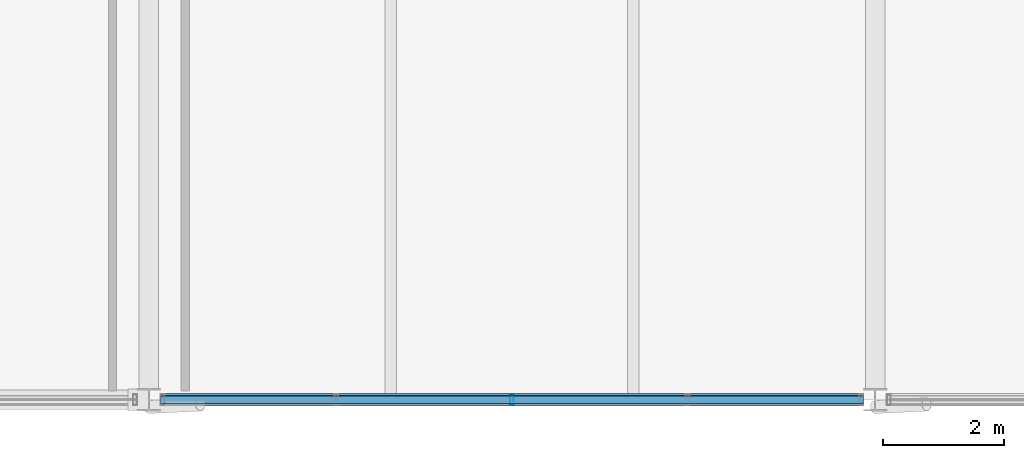
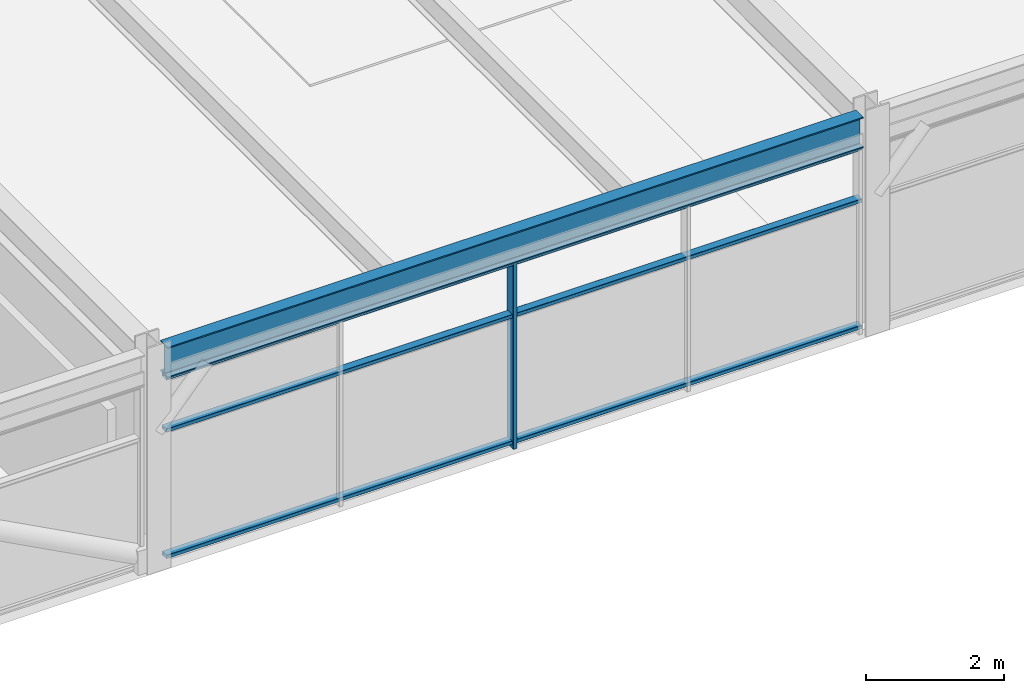
# One storey, part 11 of 49: 4 members, 1 beam, 1 element without a shape of its own.
"""IFC4 building model written with IfcOpenShell, lengths in metres."""

from ifc_helpers import new_model, si_unit, direction, frame, origin, origin_2d, place, context, subcontext, project, spatial, hollow_rectangle, i_section, extrude, material, material_profile, profile_set, type_object, element, aggregate, save


model = new_model("IFC4")

# Units and contexts
model_context = context("Model", 3, precision=1e-05, world=origin(), true_north=direction((0.0, 1.0)))
body_context = subcontext(model_context, "Body", "Model", "MODEL_VIEW")
ifc_project = project(units=[si_unit("LENGTHUNIT", "METRE"), si_unit("AREAUNIT", "SQUARE_METRE"), si_unit("VOLUMEUNIT", "CUBIC_METRE"), si_unit("PLANEANGLEUNIT", "RADIAN"), si_unit("MASSUNIT", "GRAM", prefix="KILO")], contexts=[model_context])

# Site, building, storey
site_placement = place(None, origin())
site = spatial("IfcSite", under=ifc_project, at=site_placement, CompositionType="ELEMENT")
building_placement = place(site_placement, origin())
building = spatial("IfcBuilding", under=site, at=building_placement, Name="Girod Span Mobility Hub", CompositionType="ELEMENT")
storey_placement = place(building_placement, frame((0.0, 0.0, 37.60009765625)))
storey = spatial("IfcBuildingStorey", under=building, at=storey_placement, Name="L09", CompositionType="ELEMENT", Elevation=37.60009765625)

# Beam
ifc_material_1 = material(Name="Steel A992 Grade 50", Category="steel")
ifc_material_profile_1 = material_profile(ifc_material_1, i_section(OverallWidth=0.2119140625, OverallDepth=0.5439453125, WebThickness=0.01318359375, FlangeThickness=0.021240234375, FilletRadius=0.014892578125, at=origin_2d()), Name="W21X83")
ifc_profile_set_1 = profile_set([ifc_material_profile_1], Name="Steel A992 Grade 50")
beam_type = type_object("IfcBeamType", Name="BM-STL-W21X83", PredefinedType="SPANDREL", material=ifc_profile_set_1)
beam_placement = place(storey_placement, frame((48.194091796875, 27.0, 3.56298828125), z_axis=(1.0, 0.0, 0.0), x_axis=(0.0, 1.0, 0.0)))
element("IfcBeam", 1, at=beam_placement, inside=storey, type_object=beam_type, Name="Girder 5-6/C L09", PredefinedType="SPANDREL", context=body_context, shape_type="SweptSolid", body=[
    extrude(i_section(OverallWidth=0.2119140625, OverallDepth=0.5439453125, WebThickness=0.01318359375, FlangeThickness=0.021240234375, FilletRadius=0.014892578125, at=origin_2d()), origin(), (0.0, 0.0, 1.0), 11.61181640625),
])

# Curtain wall, members
ifc_material_2 = material(Name="Thermally Broken Anodised Aluminium", Category="aluminium")
curtain_wall_type = type_object("IfcCurtainWallType", Name="CW-1161X329", PredefinedType="USERDEFINED", material=ifc_material_2)
curtain_wall_placement = place(storey_placement, origin())
curtain_wall = element("IfcCurtainWall", 2, at=curtain_wall_placement, inside=storey, type_object=curtain_wall_type, Name="Unitised Curtain Wall CW-L09-S05 L09", ObjectType="UNITISED CURTAIN WALL", PredefinedType="USERDEFINED")
ifc_material_3 = material(Name="Thermally Broken Anodised Aluminium", Category="aluminium")
ifc_material_profile_2 = material_profile(ifc_material_3, hollow_rectangle(XDim=0.179931640625, YDim=0.06494140625, WallThickness=0.00390625, InnerFilletRadius=0.00390625, OuterFilletRadius=0.008056640625, at=origin_2d()), Name="CW-ML-65X180")
ifc_profile_set_2 = profile_set([ifc_material_profile_2], Name="Thermally Broken Anodised Aluminium")
member_type_1 = type_object("IfcMemberType", Name="CWM-ML-2", PredefinedType="MULLION", material=ifc_profile_set_2)
member_1_placement = place(storey_placement, frame((54.0, 27.0, 0.0), z_axis=(0.0, 0.0, 1.0), x_axis=(0.0, 1.0, 0.0)))
member_1 = element("IfcMember", 3, at=member_1_placement, type_object=member_type_1, Name="Curtain Wall Mullion CW-L09-S05-M2", PredefinedType="MULLION", context=body_context, shape_type="SweptSolid", body=[
    extrude(hollow_rectangle(XDim=0.179931640625, YDim=0.06494140625, WallThickness=0.00390625, InnerFilletRadius=0.00390625, OuterFilletRadius=0.008056640625, at=origin_2d()), origin(), (0.0, 0.0, 1.0), 3.291015625),
])
ifc_material_4 = material(Name="Thermally Broken Anodised Aluminium", Category="aluminium")
ifc_material_profile_3 = material_profile(ifc_material_4, hollow_rectangle(XDim=0.135009765625, YDim=0.06494140625, WallThickness=0.00390625, InnerFilletRadius=0.00390625, OuterFilletRadius=0.008056640625, at=origin_2d()), Name="CW-TR-65X135")
ifc_profile_set_3 = profile_set([ifc_material_profile_3], Name="Thermally Broken Anodised Aluminium")
member_type_2 = type_object("IfcMemberType", Name="CWM-TR-2", PredefinedType="USERDEFINED", material=ifc_profile_set_3)
member_2_placement = place(storey_placement, frame((48.195068359375, 27.0, 0.107421875), z_axis=(1.0, 0.0, 0.0), x_axis=(0.0, 1.0, 0.0)))
member_2 = element("IfcMember", 4, at=member_2_placement, type_object=member_type_2, Name="Curtain Wall Transom CW-L09-S05-T1", ObjectType="TRANSOM", PredefinedType="USERDEFINED", context=body_context, shape_type="SweptSolid", body=[
    extrude(hollow_rectangle(XDim=0.135009765625, YDim=0.06494140625, WallThickness=0.00390625, InnerFilletRadius=0.00390625, OuterFilletRadius=0.008056640625, at=origin_2d()), origin(), (0.0, 0.0, 1.0), 11.60986328125),
])
member_3_placement = place(storey_placement, frame((48.195068359375, 27.0, 2.3369140625), z_axis=(1.0, 0.0, 0.0), x_axis=(0.0, 1.0, 0.0)))
member_3 = element("IfcMember", 5, at=member_3_placement, type_object=member_type_2, Name="Curtain Wall Transom CW-L09-S05-T2", ObjectType="TRANSOM", PredefinedType="USERDEFINED", context=body_context, shape_type="SweptSolid", body=[
    extrude(hollow_rectangle(XDim=0.135009765625, YDim=0.06494140625, WallThickness=0.00390625, InnerFilletRadius=0.00390625, OuterFilletRadius=0.008056640625, at=origin_2d()), origin(), (0.0, 0.0, 1.0), 11.60986328125),
])
member_4_placement = place(storey_placement, frame((48.195068359375, 27.0, 3.25830078125), z_axis=(1.0, 0.0, 0.0), x_axis=(0.0, 1.0, 0.0)))
member_4 = element("IfcMember", 6, at=member_4_placement, type_object=member_type_2, Name="Curtain Wall Transom CW-L09-S05-T3", ObjectType="TRANSOM", PredefinedType="USERDEFINED", context=body_context, shape_type="SweptSolid", body=[
    extrude(hollow_rectangle(XDim=0.135009765625, YDim=0.06494140625, WallThickness=0.00390625, InnerFilletRadius=0.00390625, OuterFilletRadius=0.008056640625, at=origin_2d()), origin(), (0.0, 0.0, 1.0), 11.60986328125),
])
aggregate(curtain_wall, [member_1, member_2, member_3, member_4])

save(model, "model.ifc")
